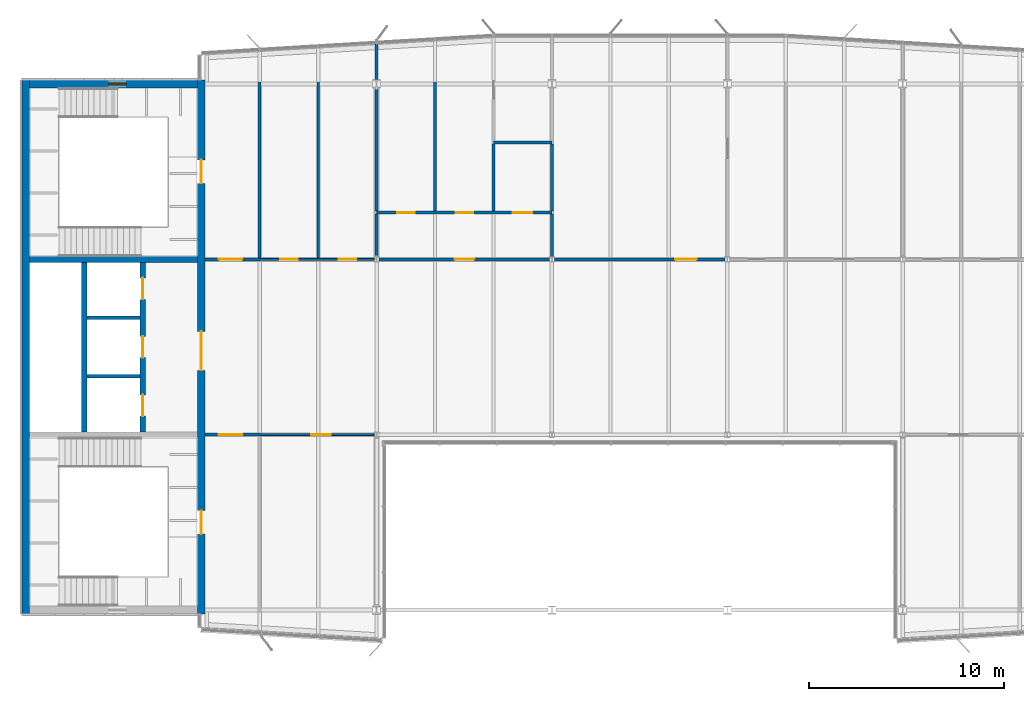
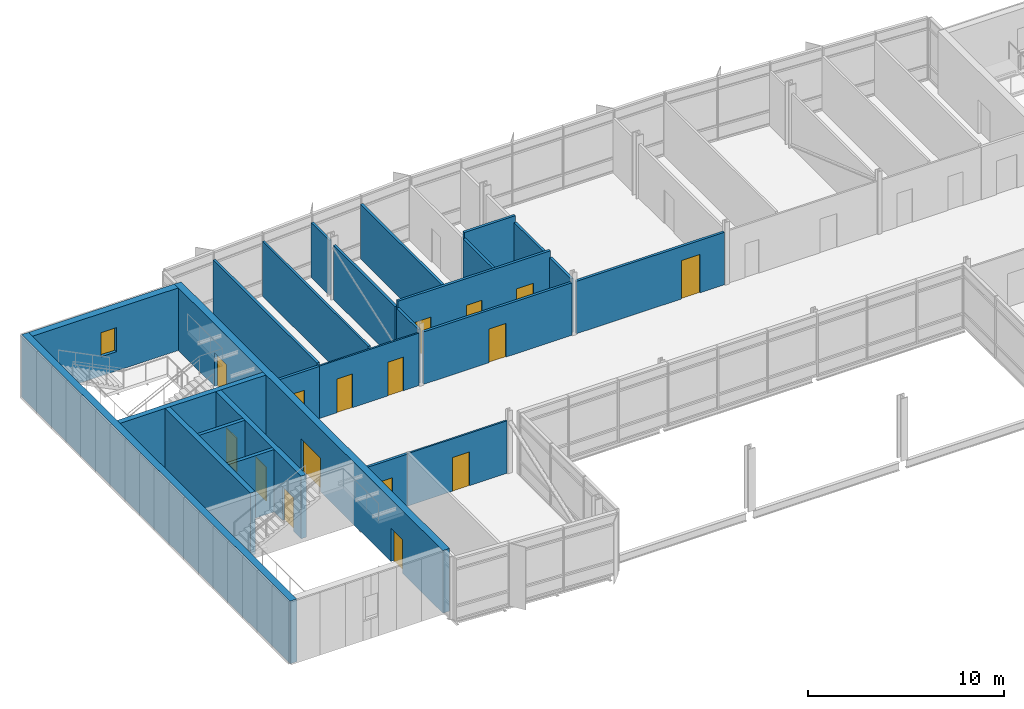
# One storey, part 15 of 20: 25 walls, 16 doors, 1 window, 17 openings.
"""IFC4 building model written with IfcOpenShell, lengths in metres."""

from ifc_helpers import new_model, si_unit, direction, frame, frame_2d, origin, place, context, subcontext, project, spatial, rectangle, extrude, material, layer, layer_set, type_object, element, fill, save


model = new_model("IFC4")

# Units and contexts
model_context = context("Model", 3, precision=1e-05, world=origin(), true_north=direction((0.0, 1.0)))
body_context = subcontext(model_context, "Body", "Model", "MODEL_VIEW")
ifc_project = project(units=[si_unit("LENGTHUNIT", "METRE"), si_unit("AREAUNIT", "SQUARE_METRE"), si_unit("VOLUMEUNIT", "CUBIC_METRE"), si_unit("PLANEANGLEUNIT", "RADIAN"), si_unit("MASSUNIT", "GRAM", prefix="KILO")], contexts=[model_context])

# Site, building, storey
site_placement = place(None, origin())
site = spatial("IfcSite", under=ifc_project, at=site_placement, CompositionType="ELEMENT")
building_placement = place(site_placement, origin())
building = spatial("IfcBuilding", under=site, at=building_placement, Name="Azimuth Sports and Learning Centre", CompositionType="ELEMENT")
storey_placement = place(building_placement, frame((0.0, 0.0, 71.39990234375)))
storey = spatial("IfcBuildingStorey", under=building, at=storey_placement, Name="L16", CompositionType="ELEMENT", Elevation=71.39990234375)

# Walls
ifc_material_1 = material(Name="Dense masonry blockwork", Category="masonry")
ifc_layer_1 = layer(ifc_material_1, 0.199951171875)
ifc_layer_set_1 = layer_set([ifc_layer_1], Name="Dense masonry blockwork")
wall_type_1 = type_object("IfcWallType", Name="Blockwork wall 200 EI 120", PredefinedType="SOLIDWALL", material=ifc_layer_set_1)
for number, where, z_axis, x_axis, name in (
    (1, (57.14990234375, 102.0, 0.0), (0.0, 0.0, 1.0), (1.0, 0.0, 0.0), "SD-W-1-L16"),
    (2, (57.14990234375, 105.0, 0.0), (0.0, 0.0, 1.0), (1.0, 0.0, 0.0), "SD-W-2-L16"),
):
    element("IfcWall", number, at=place(storey_placement, frame(where, z_axis=z_axis, x_axis=x_axis)), inside=storey, type_object=wall_type_1, Name=name, PredefinedType="SOLIDWALL", context=body_context, shape_type="SweptSolid", body=[
        extrude(rectangle(XDim=2.7001953125, YDim=0.199951171875, at=frame_2d((1.35009765625, 0.0))), origin(), (0.0, 0.0, 1.0), 3.900146484375),
    ])

# Wall, opening, door
ifc_material_2 = material(Name="Gypsum board on steel studs", Category="steel")
ifc_layer_2 = layer(ifc_material_2, 0.10009765625)
ifc_layer_set_2 = layer_set([ifc_layer_2], Name="Gypsum board on steel studs")
wall_type_2 = type_object("IfcWallType", Name="Partition 100 EI 30", PredefinedType="PARTITIONING", material=ifc_layer_set_2)
wall_1_placement = place(storey_placement, frame((66.0, 99.0, 0.0), z_axis=(0.0, 0.0, 1.0), x_axis=(1.0, 0.0, 0.0)))
wall_1 = element("IfcWall", 3, at=wall_1_placement, inside=storey, type_object=wall_type_2, Name="Partition Research Seminar Room 16.07 / Learning Street", PredefinedType="PARTITIONING", context=body_context, shape_type="SweptSolid", body=[
    extrude(rectangle(XDim=5.8701171875, YDim=0.10009765625, at=frame_2d((2.93505859375, 0.0))), origin(), (0.0, 0.0, 1.0), 3.27001953125),
])
opening_1_placement = place(wall_1_placement, frame((2.64990234375, 0.0, 0.0)))
opening_1 = element("IfcOpeningElement", 4, at=opening_1_placement, cuts=wall_1, Name="Opening D16-015", PredefinedType="OPENING", context=body_context, shape_type="SweptSolid", body=[
    extrude(rectangle(XDim=1.0, YDim=2.10009765625, at=frame_2d((0.5, 1.050048828125))), frame((0.0, 0.06103515625, 0.0), z_axis=(0.0, -1.0, 0.0), x_axis=(1.0, 0.0, 0.0)), (0.0, 0.0, 1.0), 0.1220703125),
])
ifc_material_3 = material(Name="Painted steel door set", Category="steel")
door_type_1 = type_object("IfcDoorType", Name="Fire door FD30S 1000 x 2100", OperationType="NOTDEFINED", PredefinedType="DOOR", material=ifc_material_3)
door_1_placement = place(opening_1_placement, frame((1.0, 0.0, 0.0), z_axis=(0.0, 0.0, 1.0), x_axis=(-1.0, 0.0, 0.0)))
door_1 = element("IfcDoor", 5, at=door_1_placement, inside=storey, type_object=door_type_1, Name="Door Research Seminar Room 16.07 / Learning Street", OperationType="SINGLE_SWING_LEFT", OverallHeight=2.10009765625, OverallWidth=1.0, PredefinedType="DOOR", context=body_context, shape_type="SweptSolid", body=[
    extrude(rectangle(XDim=1.0, YDim=2.10009765625, at=frame_2d((0.5, 1.050048828125))), frame((0.0, 0.02490234375, 0.0), z_axis=(0.0, -1.0, 0.0), x_axis=(1.0, 0.0, 0.0)), (0.0, 0.0, 1.0), 0.050048828125),
])
fill(opening_1, door_1)

# Wall, openings, doors
wall_2_placement = place(storey_placement, frame((66.0, 108.0, 0.0), z_axis=(0.0, 0.0, 1.0), x_axis=(1.0, 0.0, 0.0)))
wall_2 = element("IfcWall", 6, at=wall_2_placement, inside=storey, type_object=wall_type_2, Name="Partition Faculty Office 16.09 / Faculty Office 16.10", PredefinedType="PARTITIONING", context=body_context, shape_type="SweptSolid", body=[
    extrude(rectangle(XDim=5.8701171875, YDim=0.10009765625, at=frame_2d((2.93505859375, 0.0))), origin(), (0.0, 0.0, 1.0), 3.27001953125),
])
opening_2_placement = place(wall_2_placement, frame((1.050048828125, 0.0, 0.0)))
opening_2 = element("IfcOpeningElement", 7, at=opening_2_placement, cuts=wall_2, Name="Opening D16-017", PredefinedType="OPENING", context=body_context, shape_type="SweptSolid", body=[
    extrude(rectangle(XDim=0.89990234375, YDim=2.10009765625, at=frame_2d((0.449951171875, 1.050048828125))), frame((0.0, 0.06103515625, 0.0), z_axis=(0.0, -1.0, 0.0), x_axis=(1.0, 0.0, 0.0)), (0.0, 0.0, 1.0), 0.1220703125),
])
opening_3_placement = place(wall_2_placement, frame((4.050048828125, 0.0, 0.0)))
opening_3 = element("IfcOpeningElement", 8, at=opening_3_placement, cuts=wall_2, Name="Opening D16-018", PredefinedType="OPENING", context=body_context, shape_type="SweptSolid", body=[
    extrude(rectangle(XDim=0.89990234375, YDim=2.10009765625, at=frame_2d((0.449951171875, 1.050048828125))), frame((0.0, 0.06103515625, 0.0), z_axis=(0.0, -1.0, 0.0), x_axis=(1.0, 0.0, 0.0)), (0.0, 0.0, 1.0), 0.1220703125),
])
ifc_material_4 = material(Name="Painted steel door set", Category="steel")
door_type_2 = type_object("IfcDoorType", Name="Fire door FD30S 900 x 2100", OperationType="NOTDEFINED", PredefinedType="DOOR", material=ifc_material_4)
door_2_placement = place(opening_2_placement, origin())
door_2 = element("IfcDoor", 9, at=door_2_placement, inside=storey, type_object=door_type_2, Name="Door Faculty Office 16.09 / Learning Street", OperationType="SINGLE_SWING_RIGHT", OverallHeight=2.10009765625, OverallWidth=0.89990234375, PredefinedType="DOOR", context=body_context, shape_type="SweptSolid", body=[
    extrude(rectangle(XDim=0.89990234375, YDim=2.10009765625, at=frame_2d((0.449951171875, 1.050048828125))), frame((0.0, 0.02490234375, 0.0), z_axis=(0.0, -1.0, 0.0), x_axis=(1.0, 0.0, 0.0)), (0.0, 0.0, 1.0), 0.050048828125),
])
fill(opening_2, door_2)
door_3_placement = place(opening_3_placement, origin())
door_3 = element("IfcDoor", 10, at=door_3_placement, inside=storey, type_object=door_type_2, Name="Door Faculty Office 16.10 / Learning Street", OperationType="SINGLE_SWING_RIGHT", OverallHeight=2.10009765625, OverallWidth=0.89990234375, PredefinedType="DOOR", context=body_context, shape_type="SweptSolid", body=[
    extrude(rectangle(XDim=0.89990234375, YDim=2.10009765625, at=frame_2d((0.449951171875, 1.050048828125))), frame((0.0, 0.02490234375, 0.0), z_axis=(0.0, -1.0, 0.0), x_axis=(1.0, 0.0, 0.0)), (0.0, 0.0, 1.0), 0.050048828125),
])
fill(opening_3, door_3)

# Wall
ifc_material_5 = material(Name="Gypsum board on steel studs, acoustic", Category="steel")
ifc_layer_3 = layer(ifc_material_5, 0.125)
ifc_layer_set_3 = layer_set([ifc_layer_3], Name="Gypsum board on steel studs, acoustic")
wall_type_3 = type_object("IfcWallType", Name="Partition 125 EI 60", PredefinedType="PARTITIONING", material=ifc_layer_set_3)
wall_3_placement = place(storey_placement, frame((69.0, 108.050048828125, 0.0), z_axis=(0.0, 0.0, 1.0), x_axis=(0.0, 1.0, 0.0)))
element("IfcWall", 11, at=wall_3_placement, inside=storey, type_object=wall_type_3, Name="Partition Faculty Office 16.09 / Faculty Office 16.10", PredefinedType="PARTITIONING", context=body_context, shape_type="SweptSolid", body=[
    extrude(rectangle(XDim=10.81005859375, YDim=0.125, at=frame_2d((5.405029296875, 0.0))), origin(), (0.0, 0.0, 1.0), 3.41015625),
])

# Wall, opening, door
ifc_material_6 = material(Name="Lightweight blockwork, rendered", Category="masonry")
ifc_layer_4 = layer(ifc_material_6, 0.14990234375)
ifc_layer_set_4 = layer_set([ifc_layer_4], Name="Lightweight blockwork, rendered")
wall_type_4 = type_object("IfcWallType", Name="Partition 150 EI 60", PredefinedType="PARTITIONING", material=ifc_layer_set_4)
wall_4_placement = place(storey_placement, frame((63.199951171875, 99.0, 0.0), z_axis=(0.0, 0.0, 1.0), x_axis=(1.0, 0.0, 0.0)))
wall_4 = element("IfcWall", 12, at=wall_4_placement, inside=storey, type_object=wall_type_4, Name="Partition Stair Lobby W1 16.01 / Learning Street", PredefinedType="PARTITIONING", context=body_context, shape_type="SweptSolid", body=[
    extrude(rectangle(XDim=2.800048828125, YDim=0.14990234375, at=frame_2d((1.39990234375, 0.0))), origin(), (0.0, 0.0, 1.0), 3.27001953125),
])
opening_4_placement = place(wall_4_placement, frame((0.699951171875, 0.0, 0.0)))
opening_4 = element("IfcOpeningElement", 13, at=opening_4_placement, cuts=wall_4, Name="Opening D16-011", PredefinedType="OPENING", context=body_context, shape_type="SweptSolid", body=[
    extrude(rectangle(XDim=1.199951171875, YDim=2.10009765625, at=frame_2d((0.60009765625, 1.050048828125))), frame((0.0, 0.0859375, 0.0), z_axis=(0.0, -1.0, 0.0), x_axis=(1.0, 0.0, 0.0)), (0.0, 0.0, 1.0), 0.171875),
])
ifc_material_7 = material(Name="Painted steel door set", Category="steel")
door_type_3 = type_object("IfcDoorType", Name="Fire door FD60 1200 x 2100", OperationType="NOTDEFINED", PredefinedType="DOOR", material=ifc_material_7)
door_4_placement = place(opening_4_placement, frame((1.199951171875, 0.0, 0.0), z_axis=(0.0, 0.0, 1.0), x_axis=(-1.0, 0.0, 0.0)))
door_4 = element("IfcDoor", 14, at=door_4_placement, inside=storey, type_object=door_type_3, Name="Door Stair Lobby W1 16.01 / Learning Street", OperationType="SINGLE_SWING_RIGHT", OverallHeight=2.10009765625, OverallWidth=1.199951171875, PredefinedType="DOOR", context=body_context, shape_type="SweptSolid", body=[
    extrude(rectangle(XDim=1.199951171875, YDim=2.10009765625, at=frame_2d((0.60009765625, 1.050048828125))), frame((0.0, 0.02490234375, 0.0), z_axis=(0.0, -1.0, 0.0), x_axis=(1.0, 0.0, 0.0)), (0.0, 0.0, 1.0), 0.050048828125),
])
fill(opening_4, door_4)

wall_5_placement = place(storey_placement, frame((63.199951171875, 108.0, 0.0), z_axis=(0.0, 0.0, 1.0), x_axis=(1.0, 0.0, 0.0)))
wall_5 = element("IfcWall", 15, at=wall_5_placement, inside=storey, type_object=wall_type_4, Name="Partition Stair Lobby W2 16.02 / Learning Street", PredefinedType="PARTITIONING", context=body_context, shape_type="SweptSolid", body=[
    extrude(rectangle(XDim=2.800048828125, YDim=0.14990234375, at=frame_2d((1.39990234375, 0.0))), origin(), (0.0, 0.0, 1.0), 3.27001953125),
])
opening_5_placement = place(wall_5_placement, frame((0.699951171875, 0.0, 0.0)))
opening_5 = element("IfcOpeningElement", 16, at=opening_5_placement, cuts=wall_5, Name="Opening D16-012", PredefinedType="OPENING", context=body_context, shape_type="SweptSolid", body=[
    extrude(rectangle(XDim=1.199951171875, YDim=2.10009765625, at=frame_2d((0.60009765625, 1.050048828125))), frame((0.0, 0.0859375, 0.0), z_axis=(0.0, -1.0, 0.0), x_axis=(1.0, 0.0, 0.0)), (0.0, 0.0, 1.0), 0.171875),
])
door_5_placement = place(opening_5_placement, origin())
door_5 = element("IfcDoor", 17, at=door_5_placement, inside=storey, type_object=door_type_3, Name="Door Stair Lobby W2 16.02 / Learning Street", OperationType="SINGLE_SWING_LEFT", OverallHeight=2.10009765625, OverallWidth=1.199951171875, PredefinedType="DOOR", context=body_context, shape_type="SweptSolid", body=[
    extrude(rectangle(XDim=1.199951171875, YDim=2.10009765625, at=frame_2d((0.60009765625, 1.050048828125))), frame((0.0, 0.02490234375, 0.0), z_axis=(0.0, -1.0, 0.0), x_axis=(1.0, 0.0, 0.0)), (0.0, 0.0, 1.0), 0.050048828125),
])
fill(opening_5, door_5)

wall_6_placement = place(storey_placement, frame((72.1298828125, 108.0, 0.0), z_axis=(0.0, 0.0, 1.0), x_axis=(1.0, 0.0, 0.0)))
wall_6 = element("IfcWall", 18, at=wall_6_placement, inside=storey, type_object=wall_type_4, Name="Partition WC Lobby 16.11 / Research Laboratory 16.16", PredefinedType="PARTITIONING", context=body_context, shape_type="SweptSolid", body=[
    extrude(rectangle(XDim=8.740234375, YDim=0.14990234375, at=frame_2d((4.3701171875, 0.0))), origin(), (0.0, 0.0, 1.0), 3.27001953125),
])
opening_6_placement = place(wall_6_placement, frame((3.8701171875, 0.0, 0.0)))
opening_6 = element("IfcOpeningElement", 19, at=opening_6_placement, cuts=wall_6, Name="Opening D16-019", PredefinedType="OPENING", context=body_context, shape_type="SweptSolid", body=[
    extrude(rectangle(XDim=1.0, YDim=2.10009765625, at=frame_2d((0.5, 1.050048828125))), frame((0.0, 0.0859375, 0.0), z_axis=(0.0, -1.0, 0.0), x_axis=(1.0, 0.0, 0.0)), (0.0, 0.0, 1.0), 0.171875),
])
ifc_material_8 = material(Name="Painted steel door set", Category="steel")
door_type_4 = type_object("IfcDoorType", Name="Fire door FD60 1000 x 2100", OperationType="NOTDEFINED", PredefinedType="DOOR", material=ifc_material_8)
door_6_placement = place(opening_6_placement, origin())
door_6 = element("IfcDoor", 20, at=door_6_placement, inside=storey, type_object=door_type_4, Name="Door WC Lobby 16.11 / Learning Street", OperationType="SINGLE_SWING_LEFT", OverallHeight=2.10009765625, OverallWidth=1.0, PredefinedType="DOOR", context=body_context, shape_type="SweptSolid", body=[
    extrude(rectangle(XDim=1.0, YDim=2.10009765625, at=frame_2d((0.5, 1.050048828125))), frame((0.0, 0.02490234375, 0.0), z_axis=(0.0, -1.0, 0.0), x_axis=(1.0, 0.0, 0.0)), (0.0, 0.0, 1.0), 0.050048828125),
])
fill(opening_6, door_6)

wall_7_placement = place(storey_placement, frame((81.1298828125, 108.0, 0.0), z_axis=(0.0, 0.0, 1.0), x_axis=(1.0, 0.0, 0.0)))
wall_7 = element("IfcWall", 21, at=wall_7_placement, inside=storey, type_object=wall_type_4, Name="Partition WC Lobby 16.11 / Research Laboratory 16.16", PredefinedType="PARTITIONING", context=body_context, shape_type="SweptSolid", body=[
    extrude(rectangle(XDim=8.740234375, YDim=0.14990234375, at=frame_2d((4.3701171875, 0.0))), origin(), (0.0, 0.0, 1.0), 3.27001953125),
])
opening_7_placement = place(wall_7_placement, frame((6.195068359375, 0.0, 0.0)))
opening_7 = element("IfcOpeningElement", 22, at=opening_7_placement, cuts=wall_7, Name="Opening D16-020", PredefinedType="OPENING", context=body_context, shape_type="SweptSolid", body=[
    extrude(rectangle(XDim=1.10009765625, YDim=2.39990234375, at=frame_2d((0.550048828125, 1.199951171875))), frame((0.0, 0.0859375, 0.0), z_axis=(0.0, -1.0, 0.0), x_axis=(1.0, 0.0, 0.0)), (0.0, 0.0, 1.0), 0.171875),
])
ifc_material_9 = material(Name="Painted steel door set", Category="steel")
door_type_5 = type_object("IfcDoorType", Name="Fire door FD60 1100 x 2400", OperationType="NOTDEFINED", PredefinedType="DOOR", material=ifc_material_9)
door_7_placement = place(opening_7_placement, origin())
door_7 = element("IfcDoor", 23, at=door_7_placement, inside=storey, type_object=door_type_5, Name="Door Research Laboratory 16.16 / Learning Street", OperationType="SINGLE_SWING_RIGHT", OverallHeight=2.39990234375, OverallWidth=1.10009765625, PredefinedType="DOOR", context=body_context, shape_type="SweptSolid", body=[
    extrude(rectangle(XDim=1.10009765625, YDim=2.39990234375, at=frame_2d((0.550048828125, 1.199951171875))), frame((0.0, 0.02490234375, 0.0), z_axis=(0.0, -1.0, 0.0), x_axis=(1.0, 0.0, 0.0)), (0.0, 0.0, 1.0), 0.050048828125),
])
fill(opening_7, door_7)

# Wall, openings, doors
wall_8_placement = place(storey_placement, frame((72.0, 110.39990234375, 0.0), z_axis=(0.0, 0.0, 1.0), x_axis=(1.0, 0.0, 0.0)))
wall_8 = element("IfcWall", 24, at=wall_8_placement, inside=storey, type_object=wall_type_4, Name="Partition WC Lobby 16.11 / Men WC 16.12", PredefinedType="PARTITIONING", context=body_context, shape_type="SweptSolid", body=[
    extrude(rectangle(XDim=9.0, YDim=0.14990234375, at=frame_2d((4.5, 0.0))), origin(), (0.0, 0.0, 1.0), 3.77001953125),
])
opening_8_placement = place(wall_8_placement, frame((1.050048828125, 0.0, 0.0)))
opening_8 = element("IfcOpeningElement", 25, at=opening_8_placement, cuts=wall_8, Name="Opening D16-025", PredefinedType="OPENING", context=body_context, shape_type="SweptSolid", body=[
    extrude(rectangle(XDim=0.89990234375, YDim=2.10009765625, at=frame_2d((0.449951171875, 1.050048828125))), frame((0.0, 0.0859375, 0.0), z_axis=(0.0, -1.0, 0.0), x_axis=(1.0, 0.0, 0.0)), (0.0, 0.0, 1.0), 0.171875),
])
opening_9_placement = place(wall_8_placement, frame((4.050048828125, 0.0, 0.0)))
opening_9 = element("IfcOpeningElement", 26, at=opening_9_placement, cuts=wall_8, Name="Opening D16-026", PredefinedType="OPENING", context=body_context, shape_type="SweptSolid", body=[
    extrude(rectangle(XDim=0.89990234375, YDim=2.10009765625, at=frame_2d((0.449951171875, 1.050048828125))), frame((0.0, 0.0859375, 0.0), z_axis=(0.0, -1.0, 0.0), x_axis=(1.0, 0.0, 0.0)), (0.0, 0.0, 1.0), 0.171875),
])
opening_10_placement = place(wall_8_placement, frame((7.0, 0.0, 0.0)))
opening_10 = element("IfcOpeningElement", 27, at=opening_10_placement, cuts=wall_8, Name="Opening D16-027", PredefinedType="OPENING", context=body_context, shape_type="SweptSolid", body=[
    extrude(rectangle(XDim=1.0, YDim=2.10009765625, at=frame_2d((0.5, 1.050048828125))), frame((0.0, 0.0859375, 0.0), z_axis=(0.0, -1.0, 0.0), x_axis=(1.0, 0.0, 0.0)), (0.0, 0.0, 1.0), 0.171875),
])
door_8_placement = place(opening_10_placement, origin())
door_8 = element("IfcDoor", 28, at=door_8_placement, inside=storey, type_object=door_type_4, Name="Door WC Lobby 16.11 / Accessible WC 16.14", OperationType="SINGLE_SWING_LEFT", OverallHeight=2.10009765625, OverallWidth=1.0, PredefinedType="DOOR", context=body_context, shape_type="SweptSolid", body=[
    extrude(rectangle(XDim=1.0, YDim=2.10009765625, at=frame_2d((0.5, 1.050048828125))), frame((0.0, 0.02490234375, 0.0), z_axis=(0.0, -1.0, 0.0), x_axis=(1.0, 0.0, 0.0)), (0.0, 0.0, 1.0), 0.050048828125),
])
fill(opening_10, door_8)
ifc_material_10 = material(Name="Painted steel door set", Category="steel")
door_type_6 = type_object("IfcDoorType", Name="Fire door FD60 900 x 2100", OperationType="NOTDEFINED", PredefinedType="DOOR", material=ifc_material_10)
door_9_placement = place(opening_8_placement, frame((0.89990234375, 0.0, 0.0), z_axis=(0.0, 0.0, 1.0), x_axis=(-1.0, 0.0, 0.0)))
door_9 = element("IfcDoor", 29, at=door_9_placement, inside=storey, type_object=door_type_6, Name="Door WC Lobby 16.11 / Men WC 16.12", OperationType="SINGLE_SWING_RIGHT", OverallHeight=2.10009765625, OverallWidth=0.89990234375, PredefinedType="DOOR", context=body_context, shape_type="SweptSolid", body=[
    extrude(rectangle(XDim=0.89990234375, YDim=2.10009765625, at=frame_2d((0.449951171875, 1.050048828125))), frame((0.0, 0.02490234375, 0.0), z_axis=(0.0, -1.0, 0.0), x_axis=(1.0, 0.0, 0.0)), (0.0, 0.0, 1.0), 0.050048828125),
])
fill(opening_8, door_9)
door_10_placement = place(opening_9_placement, frame((0.89990234375, 0.0, 0.0), z_axis=(0.0, 0.0, 1.0), x_axis=(-1.0, 0.0, 0.0)))
door_10 = element("IfcDoor", 30, at=door_10_placement, inside=storey, type_object=door_type_6, Name="Door WC Lobby 16.11 / Women WC 16.13", OperationType="SINGLE_SWING_RIGHT", OverallHeight=2.10009765625, OverallWidth=0.89990234375, PredefinedType="DOOR", context=body_context, shape_type="SweptSolid", body=[
    extrude(rectangle(XDim=0.89990234375, YDim=2.10009765625, at=frame_2d((0.449951171875, 1.050048828125))), frame((0.0, 0.02490234375, 0.0), z_axis=(0.0, -1.0, 0.0), x_axis=(1.0, 0.0, 0.0)), (0.0, 0.0, 1.0), 0.050048828125),
])
fill(opening_9, door_10)

# Walls
wall_9_placement = place(storey_placement, frame((78.0, 114.0, 0.0), z_axis=(0.0, 0.0, 1.0), x_axis=(1.0, 0.0, 0.0)))
element("IfcWall", 31, at=wall_9_placement, inside=storey, type_object=wall_type_4, Name="Partition Accessible WC 16.14 / Cleaner Store 16.15", PredefinedType="PARTITIONING", context=body_context, shape_type="SweptSolid", body=[
    extrude(rectangle(XDim=3.0, YDim=0.14990234375, at=frame_2d((1.5, 0.0))), origin(), (0.0, 0.0, 1.0), 3.77001953125),
])
wall_10_placement = place(storey_placement, frame((66.0, 108.074951171875, 0.0), z_axis=(0.0, 0.0, 1.0), x_axis=(0.0, 1.0, 0.0)))
element("IfcWall", 32, at=wall_10_placement, inside=storey, type_object=wall_type_4, Name="Partition Stair Lobby W2 16.02 / Faculty Office 16.09", PredefinedType="PARTITIONING", context=body_context, shape_type="SweptSolid", body=[
    extrude(rectangle(XDim=10.60498046875, YDim=0.14990234375, at=frame_2d((5.302490234375, 0.0))), origin(), (0.0, 0.0, 1.0), 3.41015625),
])
wall_11_placement = place(storey_placement, frame((72.0, 108.1298828125, 0.0), z_axis=(0.0, 0.0, 1.0), x_axis=(0.0, 1.0, 0.0)))
element("IfcWall", 33, at=wall_11_placement, inside=storey, type_object=wall_type_4, Name="Partition Faculty Office 16.10 / WC Lobby 16.11", PredefinedType="PARTITIONING", context=body_context, shape_type="SweptSolid", body=[
    extrude(rectangle(XDim=2.195068359375, YDim=0.14990234375, at=frame_2d((1.09765625, 0.0))), origin(), (0.0, 0.0, 1.0), 3.3701171875),
])
wall_12_placement = place(storey_placement, frame((72.0, 110.47509765625, 0.0), z_axis=(0.0, 0.0, 1.0), x_axis=(0.0, 1.0, 0.0)))
element("IfcWall", 34, at=wall_12_placement, inside=storey, type_object=wall_type_4, Name="Partition Faculty Office 16.10 / WC Lobby 16.11", PredefinedType="PARTITIONING", context=body_context, shape_type="SweptSolid", body=[
    extrude(rectangle(XDim=6.307373046875, YDim=0.14990234375, at=frame_2d((3.15380859375, 0.0))), origin(), (0.0, 0.0, 1.0), 3.3701171875),
])
wall_13_placement = place(storey_placement, frame((72.0, 117.217529296875, 0.0), z_axis=(0.0, 0.0, 1.0), x_axis=(0.0, 1.0, 0.0)))
element("IfcWall", 35, at=wall_13_placement, inside=storey, type_object=wall_type_4, Name="Partition Faculty Office 16.10 / WC Lobby 16.11", PredefinedType="PARTITIONING", context=body_context, shape_type="SweptSolid", body=[
    extrude(rectangle(XDim=1.822509765625, YDim=0.14990234375, at=frame_2d((0.9111328125, 0.0))), origin(), (0.0, 0.0, 1.0), 3.41015625),
])
wall_14_placement = place(storey_placement, frame((75.0, 110.47509765625, 0.0), z_axis=(0.0, 0.0, 1.0), x_axis=(0.0, 1.0, 0.0)))
element("IfcWall", 36, at=wall_14_placement, inside=storey, type_object=wall_type_4, Name="Partition Men WC 16.12 / Women WC 16.13", PredefinedType="PARTITIONING", context=body_context, shape_type="SweptSolid", body=[
    extrude(rectangle(XDim=8.744873046875, YDim=0.14990234375, at=frame_2d((4.37255859375, 0.0))), origin(), (0.0, 0.0, 1.0), 3.41015625),
])
wall_15_placement = place(storey_placement, frame((78.0, 110.47509765625, 0.0), z_axis=(0.0, 0.0, 1.0), x_axis=(0.0, 1.0, 0.0)))
element("IfcWall", 37, at=wall_15_placement, inside=storey, type_object=wall_type_4, Name="Partition Women WC 16.13 / Accessible WC 16.14", PredefinedType="PARTITIONING", context=body_context, shape_type="SweptSolid", body=[
    extrude(rectangle(XDim=3.449951171875, YDim=0.14990234375, at=frame_2d((1.72509765625, 0.0))), origin(), (0.0, 0.0, 1.0), 3.41015625),
])
wall_16_placement = place(storey_placement, frame((81.0, 108.1298828125, 0.0), z_axis=(0.0, 0.0, 1.0), x_axis=(0.0, 1.0, 0.0)))
element("IfcWall", 38, at=wall_16_placement, inside=storey, type_object=wall_type_4, Name="Partition WC Lobby 16.11 / Accessible WC 16.14", PredefinedType="PARTITIONING", context=body_context, shape_type="SweptSolid", body=[
    extrude(rectangle(XDim=2.195068359375, YDim=0.14990234375, at=frame_2d((1.09765625, 0.0))), origin(), (0.0, 0.0, 1.0), 3.3701171875),
])
wall_17_placement = place(storey_placement, frame((81.0, 110.47509765625, 0.0), z_axis=(0.0, 0.0, 1.0), x_axis=(0.0, 1.0, 0.0)))
element("IfcWall", 39, at=wall_17_placement, inside=storey, type_object=wall_type_4, Name="Partition WC Lobby 16.11 / Accessible WC 16.14", PredefinedType="PARTITIONING", context=body_context, shape_type="SweptSolid", body=[
    extrude(rectangle(XDim=3.449951171875, YDim=0.14990234375, at=frame_2d((1.72509765625, 0.0))), origin(), (0.0, 0.0, 1.0), 3.3701171875),
])
ifc_material_11 = material(Name="Concrete C40/50", Category="concrete")
ifc_layer_5 = layer(ifc_material_11, 0.300048828125)
ifc_layer_set_5 = layer_set([ifc_layer_5], Name="Concrete C40/50")
wall_type_5 = type_object("IfcWallType", Name="RC core wall 300", PredefinedType="SHEAR", material=ifc_layer_set_5)
wall_18_placement = place(storey_placement, frame((54.199951171875, 108.0, 0.0), z_axis=(0.0, 0.0, 1.0), x_axis=(1.0, 0.0, 0.0)))
element("IfcWall", 40, at=wall_18_placement, inside=storey, type_object=wall_type_5, Name="Core wall W D2 L16", PredefinedType="SHEAR", context=body_context, shape_type="SweptSolid", body=[
    extrude(rectangle(XDim=8.60009765625, YDim=0.300048828125, at=frame_2d((4.300048828125, 0.0))), origin(), (0.0, 0.0, 1.0), 3.900146484375),
])
wall_19_placement = place(storey_placement, frame((57.0, 99.14990234375, 0.0), z_axis=(0.0, 0.0, 1.0), x_axis=(0.0, 1.0, 0.0)))
element("IfcWall", 41, at=wall_19_placement, inside=storey, type_object=wall_type_5, Name="Core wall W LB1 L16", PredefinedType="SHEAR", context=body_context, shape_type="SweptSolid", body=[
    extrude(rectangle(XDim=8.7001953125, YDim=0.300048828125, at=frame_2d((4.35009765625, 0.0))), origin(), (0.0, 0.0, 1.0), 3.900146484375),
])

# Wall, openings, doors
wall_20_placement = place(storey_placement, frame((60.0, 99.14990234375, 0.0), z_axis=(0.0, 0.0, 1.0), x_axis=(0.0, 1.0, 0.0)))
wall_20 = element("IfcWall", 42, at=wall_20_placement, inside=storey, type_object=wall_type_5, Name="Core wall W LB2 L16", PredefinedType="SHEAR", context=body_context, shape_type="SweptSolid", body=[
    extrude(rectangle(XDim=8.7001953125, YDim=0.300048828125, at=frame_2d((4.35009765625, 0.0))), origin(), (0.0, 0.0, 1.0), 3.900146484375),
])
opening_11_placement = place(wall_20_placement, frame((0.800048828125, 0.0, 0.0)))
opening_11 = element("IfcOpeningElement", 43, at=opening_11_placement, cuts=wall_20, Name="Opening D16-005", PredefinedType="OPENING", context=body_context, shape_type="SweptSolid", body=[
    extrude(rectangle(XDim=1.10009765625, YDim=2.10009765625, at=frame_2d((0.550048828125, 1.050048828125))), frame((0.0, 0.1611328125, 0.0), z_axis=(0.0, -1.0, 0.0), x_axis=(1.0, 0.0, 0.0)), (0.0, 0.0, 1.0), 0.322021484375),
])
opening_12_placement = place(wall_20_placement, frame((3.800048828125, 0.0, 0.0)))
opening_12 = element("IfcOpeningElement", 44, at=opening_12_placement, cuts=wall_20, Name="Opening D16-006", PredefinedType="OPENING", context=body_context, shape_type="SweptSolid", body=[
    extrude(rectangle(XDim=1.10009765625, YDim=2.10009765625, at=frame_2d((0.550048828125, 1.050048828125))), frame((0.0, 0.1611328125, 0.0), z_axis=(0.0, -1.0, 0.0), x_axis=(1.0, 0.0, 0.0)), (0.0, 0.0, 1.0), 0.322021484375),
])
opening_13_placement = place(wall_20_placement, frame((6.800048828125, 0.0, 0.0)))
opening_13 = element("IfcOpeningElement", 45, at=opening_13_placement, cuts=wall_20, Name="Opening D16-007", PredefinedType="OPENING", context=body_context, shape_type="SweptSolid", body=[
    extrude(rectangle(XDim=1.10009765625, YDim=2.10009765625, at=frame_2d((0.550048828125, 1.050048828125))), frame((0.0, 0.1611328125, 0.0), z_axis=(0.0, -1.0, 0.0), x_axis=(1.0, 0.0, 0.0)), (0.0, 0.0, 1.0), 0.322021484375),
])
ifc_material_12 = material(Name="Stainless steel", Category="steel")
door_type_7 = type_object("IfcDoorType", Name="Lift landing door 1100 x 2100", OperationType="DOUBLE_DOOR_SLIDING", PredefinedType="DOOR", material=ifc_material_12)
door_11_placement = place(opening_11_placement, origin())
door_11 = element("IfcDoor", 46, at=door_11_placement, inside=storey, type_object=door_type_7, Name="Landing door LW1 L16", OperationType="DOUBLE_DOOR_SLIDING", OverallHeight=2.10009765625, OverallWidth=1.10009765625, PredefinedType="DOOR", context=body_context, shape_type="SweptSolid", body=[
    extrude(rectangle(XDim=1.10009765625, YDim=2.10009765625, at=frame_2d((0.550048828125, 1.050048828125))), frame((0.0, 0.02490234375, 0.0), z_axis=(0.0, -1.0, 0.0), x_axis=(1.0, 0.0, 0.0)), (0.0, 0.0, 1.0), 0.050048828125),
])
fill(opening_11, door_11)
door_12_placement = place(opening_12_placement, origin())
door_12 = element("IfcDoor", 47, at=door_12_placement, inside=storey, type_object=door_type_7, Name="Landing door LW2 L16", OperationType="DOUBLE_DOOR_SLIDING", OverallHeight=2.10009765625, OverallWidth=1.10009765625, PredefinedType="DOOR", context=body_context, shape_type="SweptSolid", body=[
    extrude(rectangle(XDim=1.10009765625, YDim=2.10009765625, at=frame_2d((0.550048828125, 1.050048828125))), frame((0.0, 0.02490234375, 0.0), z_axis=(0.0, -1.0, 0.0), x_axis=(1.0, 0.0, 0.0)), (0.0, 0.0, 1.0), 0.050048828125),
])
fill(opening_12, door_12)
door_13_placement = place(opening_13_placement, origin())
door_13 = element("IfcDoor", 48, at=door_13_placement, inside=storey, type_object=door_type_7, Name="Landing door LW3 L16", OperationType="DOUBLE_DOOR_SLIDING", OverallHeight=2.10009765625, OverallWidth=1.10009765625, PredefinedType="DOOR", context=body_context, shape_type="SweptSolid", body=[
    extrude(rectangle(XDim=1.10009765625, YDim=2.10009765625, at=frame_2d((0.550048828125, 1.050048828125))), frame((0.0, 0.02490234375, 0.0), z_axis=(0.0, -1.0, 0.0), x_axis=(1.0, 0.0, 0.0)), (0.0, 0.0, 1.0), 0.050048828125),
])
fill(opening_13, door_13)

ifc_material_13 = material(Name="Concrete C40/50", Category="concrete")
ifc_layer_6 = layer(ifc_material_13, 0.39990234375)
ifc_layer_set_6 = layer_set([ifc_layer_6], Name="Concrete C40/50")
wall_type_6 = type_object("IfcWallType", Name="RC core wall 400", PredefinedType="SHEAR", material=ifc_layer_set_6)
wall_21_placement = place(storey_placement, frame((63.0, 89.800048828125, 0.0), z_axis=(0.0, 0.0, 1.0), x_axis=(0.0, 1.0, 0.0)))
wall_21 = element("IfcWall", 49, at=wall_21_placement, inside=storey, type_object=wall_type_6, Name="Core wall W E L16", PredefinedType="SHEAR", context=body_context, shape_type="SweptSolid", body=[
    extrude(rectangle(XDim=27.39990234375, YDim=0.39990234375, at=frame_2d((13.699951171875, 0.0))), origin(), (0.0, 0.0, 1.0), 3.900146484375),
])
opening_14_placement = place(wall_21_placement, frame((4.10009765625, 0.0, 0.0)))
opening_14 = element("IfcOpeningElement", 50, at=opening_14_placement, cuts=wall_21, Name="Opening D16-001", PredefinedType="OPENING", context=body_context, shape_type="SweptSolid", body=[
    extrude(rectangle(XDim=1.199951171875, YDim=2.10009765625, at=frame_2d((0.60009765625, 1.050048828125))), frame((0.0, 0.2109375, 0.0), z_axis=(0.0, -1.0, 0.0), x_axis=(1.0, 0.0, 0.0)), (0.0, 0.0, 1.0), 0.421875),
])
opening_15_placement = place(wall_21_placement, frame((22.10009765625, 0.0, 0.0)))
opening_15 = element("IfcOpeningElement", 51, at=opening_15_placement, cuts=wall_21, Name="Opening D16-002", PredefinedType="OPENING", context=body_context, shape_type="SweptSolid", body=[
    extrude(rectangle(XDim=1.199951171875, YDim=2.10009765625, at=frame_2d((0.60009765625, 1.050048828125))), frame((0.0, 0.2109375, 0.0), z_axis=(0.0, -1.0, 0.0), x_axis=(1.0, 0.0, 0.0)), (0.0, 0.0, 1.0), 0.421875),
])
opening_16_placement = place(wall_21_placement, frame((12.5, 0.0, 0.0)))
opening_16 = element("IfcOpeningElement", 52, at=opening_16_placement, cuts=wall_21, Name="Opening D16-030", PredefinedType="OPENING", context=body_context, shape_type="SweptSolid", body=[
    extrude(rectangle(XDim=2.0, YDim=2.10009765625, at=frame_2d((1.0, 1.050048828125))), frame((0.0, 0.2109375, 0.0), z_axis=(0.0, -1.0, 0.0), x_axis=(1.0, 0.0, 0.0)), (0.0, 0.0, 1.0), 0.421875),
])
ifc_material_14 = material(Name="Painted steel door set", Category="steel")
door_type_8 = type_object("IfcDoorType", Name="Fire door FD120 2000 x 2100 double leaf", OperationType="DOUBLE_DOOR_SINGLE_SWING", PredefinedType="DOOR", material=ifc_material_14)
door_14_placement = place(opening_16_placement, origin())
door_14 = element("IfcDoor", 53, at=door_14_placement, inside=storey, type_object=door_type_8, Name="Door Lift Lobby W 16.05 / Learning Street", OperationType="DOUBLE_DOOR_SINGLE_SWING", OverallHeight=2.10009765625, OverallWidth=2.0, PredefinedType="DOOR", context=body_context, shape_type="SweptSolid", body=[
    extrude(rectangle(XDim=2.0, YDim=2.10009765625, at=frame_2d((1.0, 1.050048828125))), frame((0.0, 0.02490234375, 0.0), z_axis=(0.0, -1.0, 0.0), x_axis=(1.0, 0.0, 0.0)), (0.0, 0.0, 1.0), 0.050048828125),
])
fill(opening_16, door_14)
ifc_material_15 = material(Name="Steel", Category="steel")
door_type_9 = type_object("IfcDoorType", Name="Stair fire door 1200 x 2100", OperationType="NOTDEFINED", PredefinedType="DOOR", material=ifc_material_15)
door_15_placement = place(opening_14_placement, origin())
door_15 = element("IfcDoor", 54, at=door_15_placement, inside=storey, type_object=door_type_9, Name="Stair door W1 L16", OperationType="SINGLE_SWING_LEFT", OverallHeight=2.10009765625, OverallWidth=1.199951171875, PredefinedType="DOOR", context=body_context, shape_type="SweptSolid", body=[
    extrude(rectangle(XDim=1.199951171875, YDim=2.10009765625, at=frame_2d((0.60009765625, 1.050048828125))), frame((0.0, 0.02490234375, 0.0), z_axis=(0.0, -1.0, 0.0), x_axis=(1.0, 0.0, 0.0)), (0.0, 0.0, 1.0), 0.050048828125),
])
fill(opening_14, door_15)
door_16_placement = place(opening_15_placement, origin())
door_16 = element("IfcDoor", 55, at=door_16_placement, inside=storey, type_object=door_type_9, Name="Stair door W2 L16", OperationType="SINGLE_SWING_LEFT", OverallHeight=2.10009765625, OverallWidth=1.199951171875, PredefinedType="DOOR", context=body_context, shape_type="SweptSolid", body=[
    extrude(rectangle(XDim=1.199951171875, YDim=2.10009765625, at=frame_2d((0.60009765625, 1.050048828125))), frame((0.0, 0.02490234375, 0.0), z_axis=(0.0, -1.0, 0.0), x_axis=(1.0, 0.0, 0.0)), (0.0, 0.0, 1.0), 0.050048828125),
])
fill(opening_15, door_16)

# Wall, opening, window
ifc_material_16 = material(Name="Concrete C40/50", Category="concrete")
ifc_layer_7 = layer(ifc_material_16, 0.39990234375)
ifc_layer_set_7 = layer_set([ifc_layer_7], Name="Concrete C40/50")
wall_type_7 = type_object("IfcWallType", Name="RC external core wall 400", PredefinedType="SHEAR", material=ifc_layer_set_7)
wall_22_placement = place(storey_placement, frame((54.199951171875, 117.0, 0.0), z_axis=(0.0, 0.0, 1.0), x_axis=(1.0, 0.0, 0.0)))
wall_22 = element("IfcWall", 56, at=wall_22_placement, inside=storey, type_object=wall_type_7, Name="Core wall W N L16", PredefinedType="SHEAR", context=body_context, shape_type="SweptSolid", body=[
    extrude(rectangle(XDim=8.60009765625, YDim=0.39990234375, at=frame_2d((4.300048828125, 0.0))), origin(), (0.0, 0.0, 1.0), 3.900146484375),
])
opening_17_placement = place(wall_22_placement, frame((4.050048828125, 0.0, 1.199951171875)))
opening_17 = element("IfcOpeningElement", 57, at=opening_17_placement, cuts=wall_22, Name="Opening W16-004", PredefinedType="OPENING", context=body_context, shape_type="SweptSolid", body=[
    extrude(rectangle(XDim=0.89990234375, YDim=1.5, at=frame_2d((0.449951171875, 0.75))), frame((0.0, 0.2109375, 0.0), z_axis=(0.0, -1.0, 0.0), x_axis=(1.0, 0.0, 0.0)), (0.0, 0.0, 1.0), 0.421875),
])
ifc_material_17 = material(Name="Aluminium and glass", Category="aluminium")
window_type = type_object("IfcWindowType", Name="Stair window tower core 900x1500", PartitioningType="SINGLE_PANEL", PredefinedType="WINDOW", material=ifc_material_17)
window_placement = place(opening_17_placement, origin())
window = element("IfcWindow", 58, at=window_placement, inside=storey, type_object=window_type, Name="Window W16-004", OverallHeight=1.5, OverallWidth=0.89990234375, PartitioningType="SINGLE_PANEL", PredefinedType="WINDOW", context=body_context, shape_type="SweptSolid", body=[
    extrude(rectangle(XDim=0.89990234375, YDim=1.5, at=frame_2d((0.449951171875, 0.75))), frame((0.0, 0.030029296875, 0.0), z_axis=(0.0, -1.0, 0.0), x_axis=(1.0, 0.0, 0.0)), (0.0, 0.0, 1.0), 0.06005859375),
])
fill(opening_17, window)

# Wall
wall_23_placement = place(storey_placement, frame((54.0, 89.800048828125, 0.0), z_axis=(0.0, 0.0, 1.0), x_axis=(0.0, 1.0, 0.0)))
element("IfcWall", 59, at=wall_23_placement, inside=storey, type_object=wall_type_7, Name="Core wall W W L16", PredefinedType="SHEAR", context=body_context, shape_type="SweptSolid", body=[
    extrude(rectangle(XDim=27.39990234375, YDim=0.39990234375, at=frame_2d((13.699951171875, 0.0))), origin(), (0.0, 0.0, 1.0), 3.900146484375),
])

save(model, "model.ifc")
